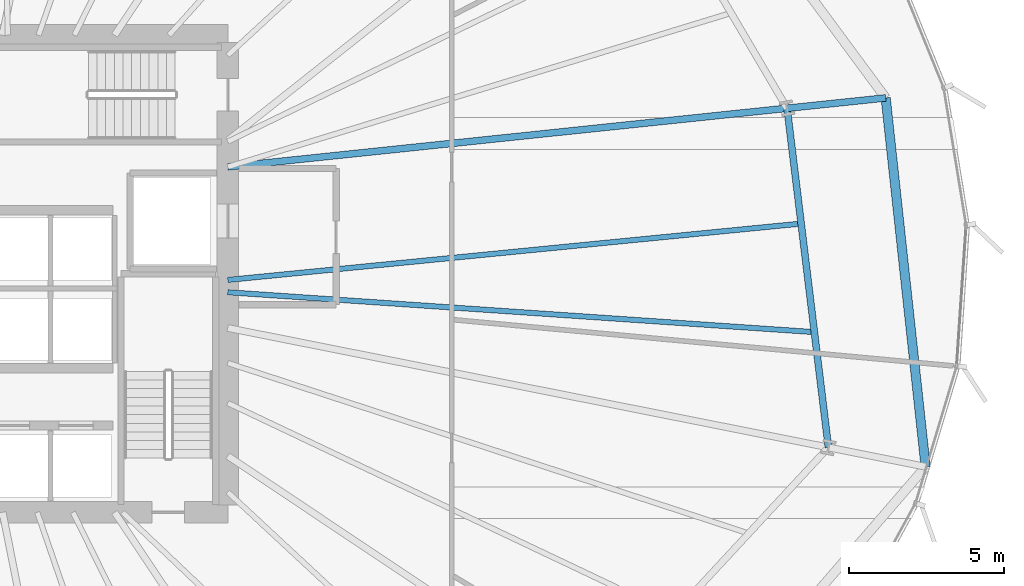
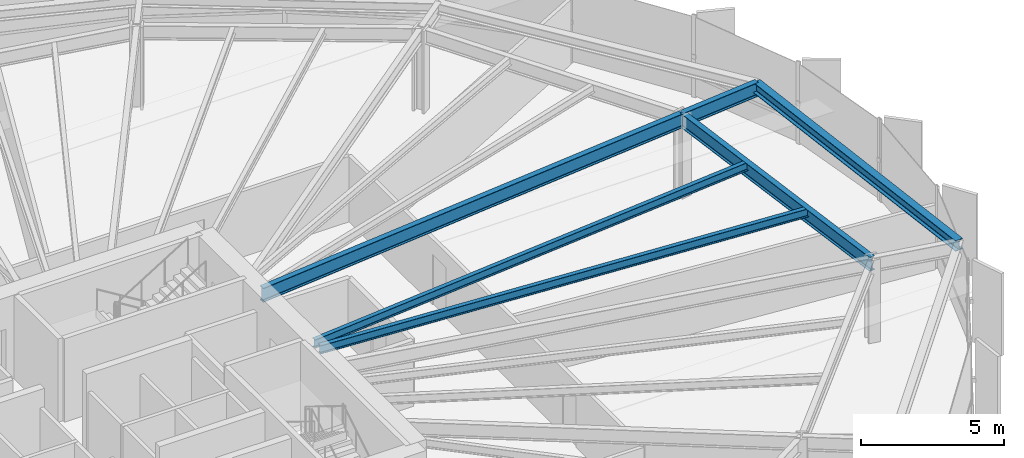
# One storey, part 17 of 39: 6 beams.
"""IFC4 building model written with IfcOpenShell, lengths in metres."""

from ifc_helpers import new_model, si_unit, direction, frame, origin, origin_2d, place, context, subcontext, project, spatial, i_section, extrude, source, transform, mapped, material, material_profile, profile_set, type_object, element, save


model = new_model("IFC4")

# Units and contexts
model_context = context("Model", 3, precision=1e-05, world=origin(), true_north=direction((0.0, 1.0)))
body_context = subcontext(model_context, "Body", "Model", "MODEL_VIEW")
ifc_project = project(units=[si_unit("LENGTHUNIT", "METRE"), si_unit("AREAUNIT", "SQUARE_METRE"), si_unit("VOLUMEUNIT", "CUBIC_METRE"), si_unit("PLANEANGLEUNIT", "RADIAN"), si_unit("MASSUNIT", "GRAM", prefix="KILO"), si_unit("THERMODYNAMICTEMPERATUREUNIT", "KELVIN")], contexts=[model_context])

# Site, building, storey
site_placement = place(None, origin())
site = spatial("IfcSite", under=ifc_project, at=site_placement, CompositionType="ELEMENT")
building_placement = place(site_placement, origin())
building = spatial("IfcBuilding", under=site, at=building_placement, Name="Kethvar Cultural Tower", CompositionType="ELEMENT")
storey_placement = place(building_placement, frame((0.0, 0.0, 41.0)))
storey = spatial("IfcBuildingStorey", under=building, at=storey_placement, Name="L09", CompositionType="ELEMENT", Elevation=41.0)

# Beams
ifc_material = material(Name="Steel S355J2", Category="steel")
ifc_material_profile_1 = material_profile(ifc_material, i_section(OverallWidth=0.219970703125, OverallDepth=0.60009765625, WebThickness=0.011962890625, FlangeThickness=0.01904296875, FilletRadius=0.02392578125, at=origin_2d()), Name="Steel S355J2 — IPE600")
ifc_profile_set_1 = profile_set([ifc_material_profile_1], Name="Steel S355J2 — IPE600")
beam_type_1 = type_object("IfcBeamType", Name="BM-IPE600", PredefinedType="BEAM", material=ifc_profile_set_1)
shared_shape_1 = source(origin(), body_context, "Body", "SweptSolid", [
    extrude(i_section(OverallWidth=0.219970703125, OverallDepth=0.60009765625, WebThickness=0.011962890625, FlangeThickness=0.01904296875, FilletRadius=0.02392578125, at=origin_2d()), origin(), (0.0, 0.0, 1.0), 18.155517578125),
])
beam_1_placement = place(storey_placement, frame((55.60009765625, 31.25, 3.248046875), z_axis=(0.994554710129, 0.104215778847, 0.0), x_axis=(-0.104215778847, 0.994554710129, 0.0)))
element("IfcBeam", 1, at=beam_1_placement, inside=storey, type_object=beam_type_1, Name="L09 Primary Radial Beam RB-01", PredefinedType="BEAM", context=body_context, shape_type="MappedRepresentation", body=[
    mapped(shared_shape_1, transform((0.0, 0.0, 0.0), scale=1.0)),
])
shared_shape_2 = source(origin(), body_context, "Body", "SweptSolid", [
    extrude(i_section(OverallWidth=0.219970703125, OverallDepth=0.60009765625, WebThickness=0.011962890625, FlangeThickness=0.01904296875, FilletRadius=0.02392578125, at=origin_2d()), origin(), (0.0, 0.0, 1.0), 3.199951171875),
])
beam_2_placement = place(storey_placement, frame((73.65673828125, 33.14208984375, 3.248046875), z_axis=(0.994554671638, 0.104216146169, 0.0), x_axis=(-0.104216146169, 0.994554671638, 0.0)))
element("IfcBeam", 2, at=beam_2_placement, inside=storey, type_object=beam_type_1, Name="L09 Perimeter Cantilever Beam RC-01", PredefinedType="BEAM", context=body_context, shape_type="MappedRepresentation", body=[
    mapped(shared_shape_2, transform((0.0, 0.0, 0.0), scale=1.0)),
])
shared_shape_3 = source(origin(), body_context, "Body", "SweptSolid", [
    extrude(i_section(OverallWidth=0.219970703125, OverallDepth=0.60009765625, WebThickness=0.011962890625, FlangeThickness=0.01904296875, FilletRadius=0.02392578125, at=origin_2d()), origin(), (0.0, 0.0, 1.0), 11.03076171875),
])
beam_3_placement = place(storey_placement, frame((74.9912109375, 22.1923828125, 3.248046875), z_axis=(-0.120977779442, 0.992655215511, 0.0), x_axis=(-0.992655215511, -0.120977779442, 0.0)))
element("IfcBeam", 3, at=beam_3_placement, inside=storey, type_object=beam_type_1, Name="L09 Column Ring Tie Beam CR-16", PredefinedType="BEAM", context=body_context, shape_type="MappedRepresentation", body=[
    mapped(shared_shape_3, transform((0.0, 0.0, 0.0), scale=1.0)),
])
ifc_material_profile_2 = material_profile(ifc_material, i_section(OverallWidth=0.169921875, OverallDepth=0.360107421875, WebThickness=0.008056640625, FlangeThickness=0.0126953125, FilletRadius=0.01806640625, at=origin_2d()), Name="Steel S355J2 — IPE360")
ifc_profile_set_2 = profile_set([ifc_material_profile_2], Name="Steel S355J2 — IPE360")
beam_type_2 = type_object("IfcBeamType", Name="BM-J360", PredefinedType="JOIST", material=ifc_profile_set_2)
shared_shape_4 = source(origin(), body_context, "Body", "SweptSolid", [
    extrude(i_section(OverallWidth=0.169921875, OverallDepth=0.360107421875, WebThickness=0.008056640625, FlangeThickness=0.0126953125, FilletRadius=0.01806640625, at=origin_2d()), origin(), (0.0, 0.0, 1.0), 18.981201171875),
])
beam_4_placement = place(storey_placement, frame((55.60009765625, 27.2021484375, 3.367919921875), z_axis=(0.997699141247, -0.067796928805, 0.0), x_axis=(0.067796928805, 0.997699141247, 0.0)))
element("IfcBeam", 4, at=beam_4_placement, inside=storey, type_object=beam_type_2, Name="L09 Composite Floor Joist J-16A", PredefinedType="JOIST", context=body_context, shape_type="MappedRepresentation", body=[
    mapped(shared_shape_4, transform((0.0, 0.0, 0.0), scale=1.0)),
])
shared_shape_5 = source(origin(), body_context, "Body", "SweptSolid", [
    extrude(i_section(OverallWidth=0.169921875, OverallDepth=0.360107421875, WebThickness=0.008056640625, FlangeThickness=0.0126953125, FilletRadius=0.01806640625, at=origin_2d()), origin(), (0.0, 0.0, 1.0), 18.599609375),
])
beam_5_placement = place(storey_placement, frame((55.60009765625, 27.60009765625, 3.367919921875), z_axis=(0.995205855092, 0.097802382335, 0.0), x_axis=(-0.097802382335, 0.995205855092, 0.0)))
element("IfcBeam", 5, at=beam_5_placement, inside=storey, type_object=beam_type_2, Name="L09 Composite Floor Joist J-16B", PredefinedType="JOIST", context=body_context, shape_type="MappedRepresentation", body=[
    mapped(shared_shape_5, transform((0.0, 0.0, 0.0), scale=1.0)),
])
ifc_material_profile_3 = material_profile(ifc_material, i_section(OverallWidth=0.300048828125, OverallDepth=0.449951171875, WebThickness=0.013916015625, FlangeThickness=0.02587890625, FilletRadius=0.027099609375, at=origin_2d()), Name="Steel S355J2 — HEB450")
ifc_profile_set_3 = profile_set([ifc_material_profile_3], Name="Steel S355J2 — HEB450")
beam_type_3 = type_object("IfcBeamType", Name="BM-SP450", PredefinedType="SPANDREL", material=ifc_profile_set_3)
shared_shape_6 = source(origin(), body_context, "Body", "SweptSolid", [
    extrude(i_section(OverallWidth=0.300048828125, OverallDepth=0.449951171875, WebThickness=0.013916015625, FlangeThickness=0.02587890625, FilletRadius=0.027099609375, at=origin_2d()), origin(), (0.0, 0.0, 1.0), 11.977294921875),
])
beam_6_placement = place(storey_placement, frame((78.129638671875, 21.568115234375, 3.322998046875), z_axis=(-0.107728520761, 0.994180348737, 0.0), x_axis=(-0.994180348737, -0.107728520761, 0.0)))
element("IfcBeam", 6, at=beam_6_placement, inside=storey, type_object=beam_type_3, Name="L09 Perimeter Spandrel Beam SP-16", PredefinedType="SPANDREL", context=body_context, shape_type="MappedRepresentation", body=[
    mapped(shared_shape_6, transform((0.0, 0.0, 0.0), scale=1.0)),
])

save(model, "model.ifc")
